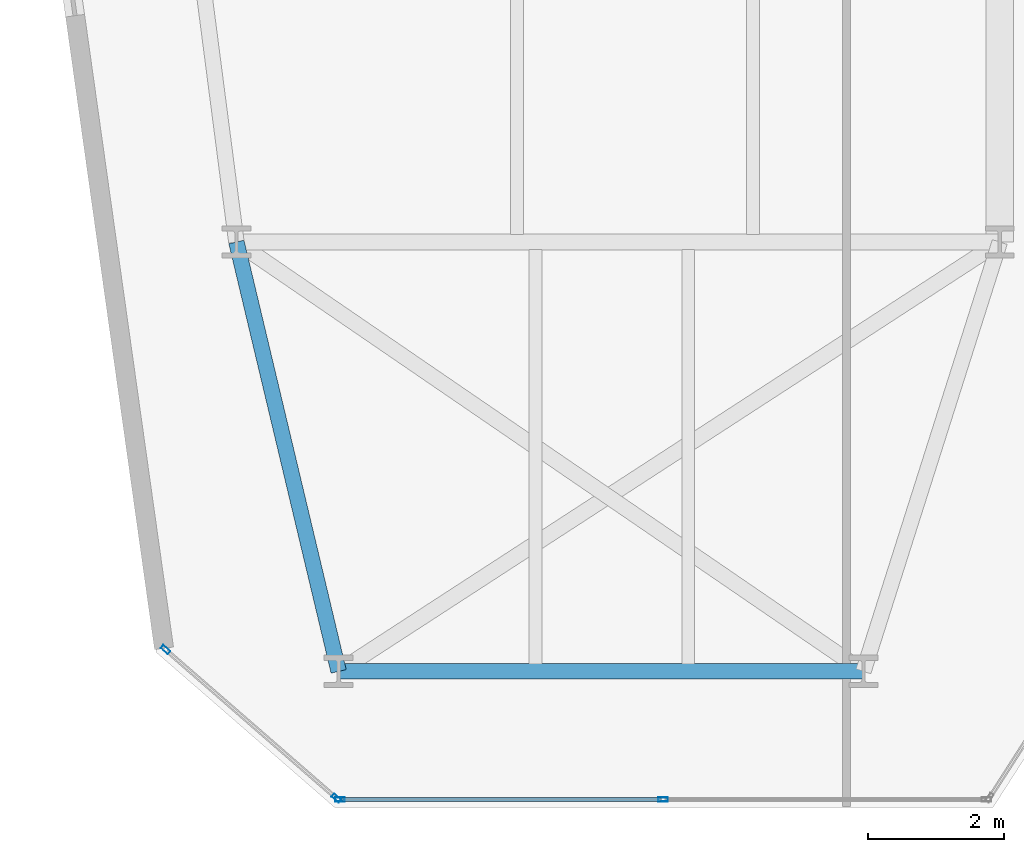
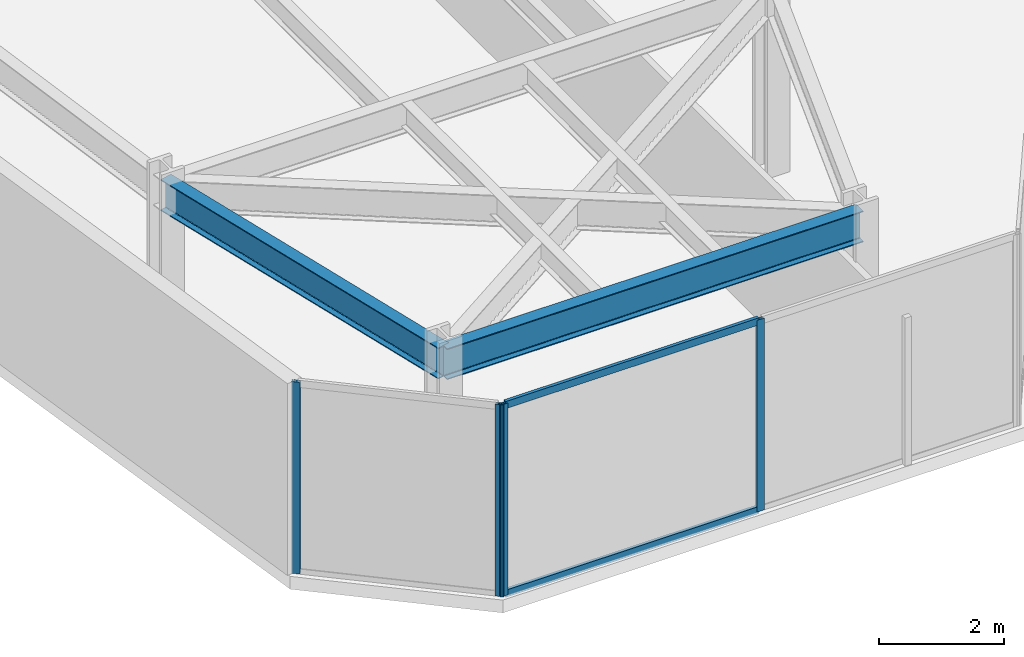
# One storey, part 2 of 20: 6 members, 2 beams, 2 elements without a shape of their own.
"""IFC4 building model written with IfcOpenShell, lengths in metres."""

from ifc_helpers import new_model, si_unit, direction, frame, origin, origin_2d, place, context, subcontext, project, spatial, hollow_rectangle, i_section, extrude, material, layer, layer_set, material_profile, profile_set, type_object, element, aggregate, save


model = new_model("IFC4")

# Units and contexts
model_context = context("Model", 3, precision=1e-05, world=origin(), true_north=direction((0.0, 1.0)))
body_context = subcontext(model_context, "Body", "Model", "MODEL_VIEW")
ifc_project = project(units=[si_unit("LENGTHUNIT", "METRE"), si_unit("AREAUNIT", "SQUARE_METRE"), si_unit("VOLUMEUNIT", "CUBIC_METRE"), si_unit("PLANEANGLEUNIT", "RADIAN"), si_unit("MASSUNIT", "GRAM", prefix="KILO")], contexts=[model_context])

# Site, building, storey
site_placement = place(None, origin())
site = spatial("IfcSite", under=ifc_project, at=site_placement, CompositionType="ELEMENT")
building_placement = place(site_placement, origin())
building = spatial("IfcBuilding", under=site, at=building_placement, Name="Kravanh Interchange Tower", CompositionType="ELEMENT")
storey_placement = place(building_placement, frame((0.0, 0.0, 104.0)))
storey = spatial("IfcBuildingStorey", under=building, at=storey_placement, Name="L24", CompositionType="ELEMENT", Elevation=104.0)

# Curtain wall, members
ifc_material_1 = material(Name="Anodised Bronze Aluminium", Category="aluminium")
ifc_layer = layer(ifc_material_1, 0.179931640625)
ifc_layer_set = layer_set([ifc_layer], Name="Unitised Curtain Wall System CW-Z2 Mid Office")
curtain_wall_type = type_object("IfcCurtainWallType", Name="Unitised Curtain Wall System CW-Z2 Mid Office", PredefinedType="NOTDEFINED", material=ifc_layer_set)
curtain_wall_1_placement = place(storey_placement, origin())
curtain_wall_1 = element("IfcCurtainWall", 1, at=curtain_wall_1_placement, inside=storey, type_object=curtain_wall_type, Name="L24 Unitised Curtain Wall CW-L24-05", PredefinedType="NOTDEFINED")
ifc_material_2 = material(Name="Anodised Bronze Aluminium", Category="aluminium")
ifc_material_profile_1 = material_profile(ifc_material_2, hollow_rectangle(XDim=0.06005859375, YDim=0.139892578125, WallThickness=0.00390625, at=origin_2d()), Name="ALU60X140X4")
ifc_profile_set_1 = profile_set([ifc_material_profile_1], Name="Anodised Bronze Aluminium")
member_type_1 = type_object("IfcMemberType", Name="Curtain Wall Mullion ALU60X140X4 Bronze", PredefinedType="MULLION", material=ifc_profile_set_1)
member_1_placement = place(storey_placement, frame((22.26220703125, 6.320068359375, 0.0), z_axis=(0.0, 0.0, 1.0), x_axis=(0.0, -1.0, 0.0)))
member_1 = element("IfcMember", 2, at=member_1_placement, type_object=member_type_1, Name="CW-Z2 mullion 2", PredefinedType="MULLION", context=body_context, shape_type="SweptSolid", body=[
    extrude(hollow_rectangle(XDim=0.06005859375, YDim=0.139892578125, WallThickness=0.00390625, at=origin_2d()), origin(), (0.0, 0.0, 1.0), 3.75),
])
member_2_placement = place(storey_placement, frame((17.519775390625, 6.320068359375, 0.0), z_axis=(0.0, 0.0, 1.0), x_axis=(0.0, -1.0, 0.0)))
member_2 = element("IfcMember", 3, at=member_2_placement, type_object=member_type_1, Name="CW-Z2 mullion 3", PredefinedType="MULLION", context=body_context, shape_type="SweptSolid", body=[
    extrude(hollow_rectangle(XDim=0.06005859375, YDim=0.139892578125, WallThickness=0.00390625, at=origin_2d()), origin(), (0.0, 0.0, 1.0), 3.75),
])

curtain_wall_2_placement = place(storey_placement, origin())
curtain_wall_2 = element("IfcCurtainWall", 4, at=curtain_wall_2_placement, inside=storey, type_object=curtain_wall_type, Name="L24 Unitised Curtain Wall CW-L24-06", PredefinedType="NOTDEFINED")
member_3_placement = place(storey_placement, frame((17.467041015625, 6.339599609375, 0.0), z_axis=(0.0, 0.0, 1.0), x_axis=(-0.656047665617, -0.754719458103, 0.0)))
member_3 = element("IfcMember", 5, at=member_3_placement, type_object=member_type_1, Name="CW-Z2 mullion 1", PredefinedType="MULLION", context=body_context, shape_type="SweptSolid", body=[
    extrude(hollow_rectangle(XDim=0.06005859375, YDim=0.139892578125, WallThickness=0.00390625, at=origin_2d()), origin(), (0.0, 0.0, 1.0), 3.75),
])
member_4_placement = place(storey_placement, frame((14.9599609375, 8.51904296875, 0.0), z_axis=(0.0, 0.0, 1.0), x_axis=(-0.656047665617, -0.754719458103, 0.0)))
member_4 = element("IfcMember", 6, at=member_4_placement, type_object=member_type_1, Name="CW-Z2 mullion 2", PredefinedType="MULLION", context=body_context, shape_type="SweptSolid", body=[
    extrude(hollow_rectangle(XDim=0.06005859375, YDim=0.139892578125, WallThickness=0.00390625, at=origin_2d()), origin(), (0.0, 0.0, 1.0), 3.75),
])
aggregate(curtain_wall_2, [member_3, member_4])

# Member
ifc_material_3 = material(Name="Anodised Bronze Aluminium", Category="aluminium")
ifc_material_profile_2 = material_profile(ifc_material_3, hollow_rectangle(XDim=0.06005859375, YDim=0.139892578125, WallThickness=0.00390625, at=origin_2d()), Name="ALU60X140X4")
ifc_profile_set_2 = profile_set([ifc_material_profile_2], Name="Anodised Bronze Aluminium")
member_type_2 = type_object("IfcMemberType", Name="Curtain Wall Transom ALU60X140X4 Bronze", PredefinedType="USERDEFINED", material=ifc_profile_set_2)
member_5_placement = place(storey_placement, frame((22.232177734375, 6.320068359375, 0.030029296875), z_axis=(-1.0, 0.0, 0.0), x_axis=(0.0, -1.0, 0.0)))
member_5 = element("IfcMember", 7, at=member_5_placement, type_object=member_type_2, Name="CW-Z2 transom 2.1", ObjectType="TRANSOM", PredefinedType="USERDEFINED", context=body_context, shape_type="SweptSolid", body=[
    extrude(hollow_rectangle(XDim=0.06005859375, YDim=0.139892578125, WallThickness=0.00390625, at=origin_2d()), origin(), (0.0, 0.0, 1.0), 4.682373046875),
])

member_6_placement = place(storey_placement, frame((22.232177734375, 6.320068359375, 3.719970703125), z_axis=(-1.0, 0.0, 0.0), x_axis=(0.0, -1.0, 0.0)))
member_6 = element("IfcMember", 8, at=member_6_placement, type_object=member_type_2, Name="CW-Z2 transom 2.2", ObjectType="TRANSOM", PredefinedType="USERDEFINED", context=body_context, shape_type="SweptSolid", body=[
    extrude(hollow_rectangle(XDim=0.06005859375, YDim=0.139892578125, WallThickness=0.00390625, at=origin_2d()), origin(), (0.0, 0.0, 1.0), 4.682373046875),
])

aggregate(curtain_wall_1, [member_1, member_2, member_5, member_6])

# Beams
ifc_material_4 = material(Name="Structural Steel S355", Category="steel")
ifc_material_profile_3 = material_profile(ifc_material_4, i_section(OverallWidth=0.22802734375, OverallDepth=0.60791015625, WebThickness=0.01123046875, FlangeThickness=0.017333984375, FilletRadius=0.02197265625, at=origin_2d()), Name="W24X76")
ifc_profile_set_3 = profile_set([ifc_material_profile_3], Name="Structural Steel S355")
beam_type = type_object("IfcBeamType", Name="Floor Spandrel W24X76 Structural Steel S355", PredefinedType="SPANDREL", material=ifc_profile_set_3)
beam_1_placement = place(storey_placement, frame((17.5, 8.199951171875, 3.446044921875), z_axis=(-0.231618828452, 0.972806619173, 0.0), x_axis=(-0.972806619173, -0.231618828452, 0.0)))
element("IfcBeam", 9, at=beam_1_placement, inside=storey, type_object=beam_type, Name="L24 Perimeter Spandrel 34", PredefinedType="SPANDREL", context=body_context, shape_type="SweptSolid", body=[
    extrude(i_section(OverallWidth=0.22802734375, OverallDepth=0.60791015625, WebThickness=0.01123046875, FlangeThickness=0.017333984375, FilletRadius=0.02197265625, at=origin_2d()), origin(), (0.0, 0.0, 1.0), 6.47607421875),
])
beam_2_placement = place(storey_placement, frame((17.5, 8.199951171875, 3.446044921875), z_axis=(1.0, 0.0, 0.0), x_axis=(0.0, 1.0, 0.0)))
element("IfcBeam", 10, at=beam_2_placement, inside=storey, type_object=beam_type, Name="L24 Perimeter Spandrel 35", PredefinedType="SPANDREL", context=body_context, shape_type="SweptSolid", body=[
    extrude(i_section(OverallWidth=0.22802734375, OverallDepth=0.60791015625, WebThickness=0.01123046875, FlangeThickness=0.017333984375, FilletRadius=0.02197265625, at=origin_2d()), origin(), (0.0, 0.0, 1.0), 7.699951171875),
])

save(model, "model.ifc")
